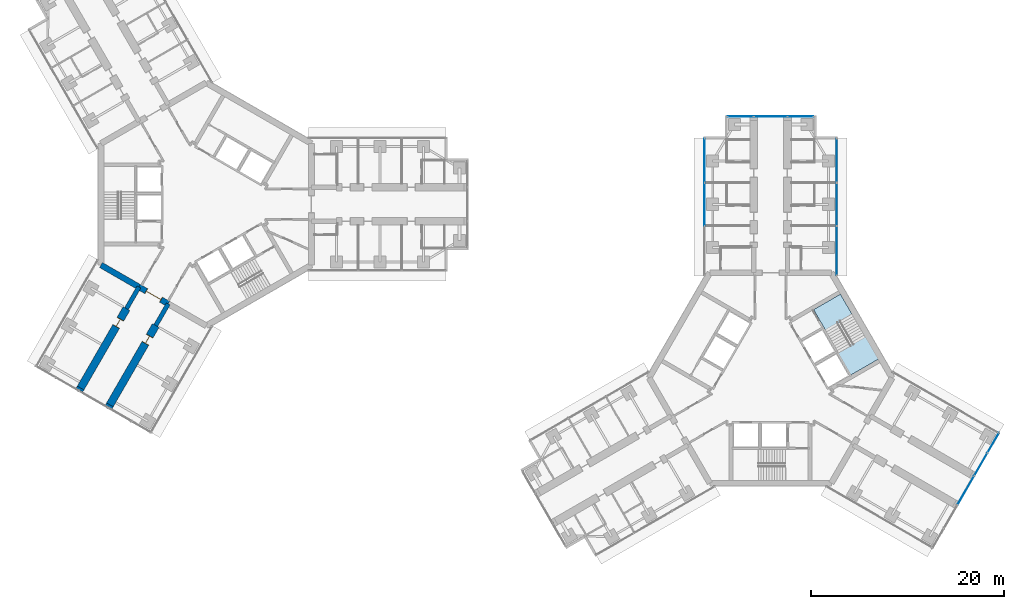
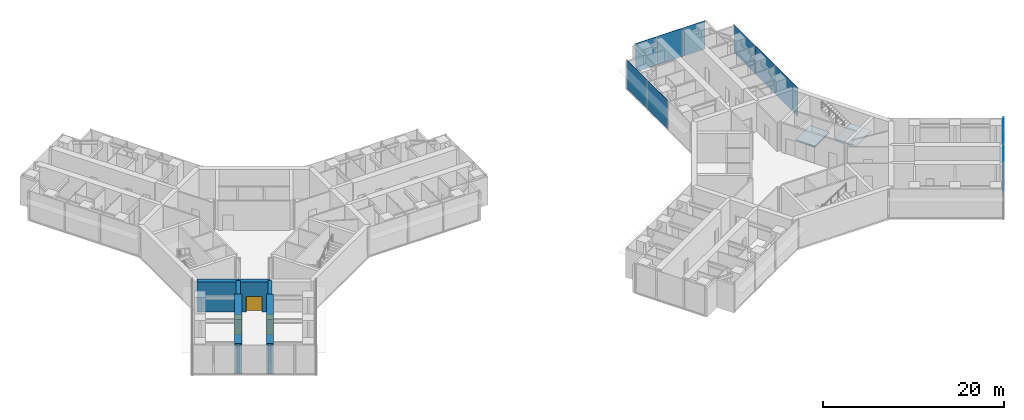
# One storey, part 14 of 23: 11 plates, 8 walls, 3 doors, 2 slabs, 3 openings, 5 elements without a shape of their own.
"""IFC4 building model written with IfcOpenShell, lengths in metres."""

import ifcopenshell
import ifcopenshell.guid

model = None  # the IFC model being written
_history = None  # IfcOwnerHistory: only IFC2X3 demands one
_inside = {}  # id of a spatial element -> (the spatial element, [elements in it])
_under = {}  # id of a project, library or spatial element -> (it, [spatial elements below it])
_declared = {}  # id of a project -> (the project, [libraries it declares])
_typed = {}  # id of a type object -> (the type object, [elements of that type])
_made_of = {}  # id of a material, layer set ... -> (it, [elements and type objects made of it])


def new_model(schema):
    """Start an empty IFC model of exactly this schema.

    Asked for "IFC4X3", IfcOpenShell would pick the latest addendum, in which some entities
    have other attributes; the version numbers below select the first issue.
    IFC2X3 requires an IfcOwnerHistory on every rooted entity: one is made here for all.
    """
    global model, _history
    if schema == "IFC4X3":
        model = ifcopenshell.file(schema_version=(4, 3, 0, 0))
    else:
        model = ifcopenshell.file(schema=schema)
    _inside.clear()
    _under.clear()
    _declared.clear()
    _typed.clear()
    _made_of.clear()
    _history = None
    if model.schema == "IFC2X3":
        org = make("IfcOrganization", Name="unknown")
        user = make(
            "IfcPersonAndOrganization",
            ThePerson=make("IfcPerson", FamilyName="unknown"),
            TheOrganization=org,
        )
        app = make(
            "IfcApplication",
            ApplicationDeveloper=org,
            Version="unknown",
            ApplicationFullName="unknown",
            ApplicationIdentifier="unknown",
        )
        _history = make(
            "IfcOwnerHistory",
            OwningUser=user,
            OwningApplication=app,
            ChangeAction="ADDED",
            CreationDate=0,
        )
    return model


def make(cls, **values):
    """One entity of the class cls with the attributes given. An attribute that is None is left unset."""
    return model.create_entity(
        cls, **{name: value for name, value in values.items() if value is not None}
    )


def rooted(cls, **values):
    """An entity with a GlobalId (a new one), such as an element, a storey or a relation."""
    return make(cls, GlobalId=ifcopenshell.guid.new(), OwnerHistory=_history, **values)


def si_unit(unit_type, name, prefix=None):
    """IfcSIUnit, for example si_unit("LENGTHUNIT", "METRE", prefix="MILLI")."""
    return make("IfcSIUnit", UnitType=unit_type, Prefix=prefix, Name=name)


def assignment(units):
    """IfcUnitAssignment: the units of a project."""
    return None if units is None else make("IfcUnitAssignment", Units=units)


def point(xyz):
    """IfcCartesianPoint."""
    return None if xyz is None else make("IfcCartesianPoint", Coordinates=xyz)


def direction(xyz):
    """IfcDirection."""
    return None if xyz is None else make("IfcDirection", DirectionRatios=xyz)


def frame(location, z_axis=None, x_axis=None):
    """IfcAxis2Placement3D, a coordinate frame: its origin and axes. An axis left out is left unset."""
    return make(
        "IfcAxis2Placement3D",
        Location=point(location),
        Axis=direction(z_axis),
        RefDirection=direction(x_axis),
    )


def frame_2d(location, x_axis=None):
    """IfcAxis2Placement2D, a coordinate frame in the plane: its origin and x axis."""
    return make(
        "IfcAxis2Placement2D", Location=point(location), RefDirection=direction(x_axis)
    )


def origin():
    """The frame at (0, 0, 0) with its axes left unset."""
    return frame((0.0, 0.0, 0.0))


def origin_2d():
    """The frame at (0, 0) in the plane with its x axis left unset."""
    return frame_2d((0.0, 0.0))


def place(relative_to, where):
    """IfcLocalPlacement: puts the frame where relative to a parent placement (None: the world)."""
    return make(
        "IfcLocalPlacement", PlacementRelTo=relative_to, RelativePlacement=where
    )


def context(
    kind, dimensions, precision=None, world=None, true_north=None, identifier=None
):
    """IfcGeometricRepresentationContext, for example the 3D "Model" context."""
    return make(
        "IfcGeometricRepresentationContext",
        ContextIdentifier=identifier,
        ContextType=kind,
        CoordinateSpaceDimension=dimensions,
        Precision=precision,
        WorldCoordinateSystem=world,
        TrueNorth=true_north,
    )


def subcontext(parent, identifier, kind, view, scale=None):
    """IfcGeometricRepresentationSubContext, for example "Body" below "Model"."""
    return make(
        "IfcGeometricRepresentationSubContext",
        ContextIdentifier=identifier,
        ContextType=kind,
        ParentContext=parent,
        TargetScale=scale,
        TargetView=view,
    )


def project(units=None, contexts=None):
    """IfcProject with its units and contexts."""
    return rooted(
        "IfcProject",
        Name="project",
        RepresentationContexts=contexts,
        UnitsInContext=assignment(units),
    )


def spatial(cls, under=None, at=None, **own):
    """A site, building, storey or space (cls), placed at a placement, below another one or the project."""
    s = rooted(cls, ObjectPlacement=at, **own)
    if under is not None:
        _under.setdefault(under.id(), (under, []))[1].append(s)
    return s


def polyline(points):
    """IfcPolyline through the points."""
    return make("IfcPolyline", Points=[point(p) for p in points])


def profile(cls, at=None, kind="AREA", **sizes):
    """A parametric profile (cls). Its sizes go by their IFC names, for example OverallWidth=200.0."""
    return make(cls, ProfileType=kind, Position=at, **sizes)


def rectangle(**sizes):
    """IfcRectangleProfileDef."""
    return profile("IfcRectangleProfileDef", **sizes)


def outline(outer, holes=None, kind="AREA"):
    """IfcArbitraryClosedProfileDef: a profile drawn as a closed curve; with holes, ...WithVoids."""
    if holes is None:
        return make("IfcArbitraryClosedProfileDef", ProfileType=kind, OuterCurve=outer)
    return make(
        "IfcArbitraryProfileDefWithVoids",
        ProfileType=kind,
        OuterCurve=outer,
        InnerCurves=holes,
    )


def extrude(swept, where, along, depth):
    """IfcExtrudedAreaSolid: the profile swept, set in the frame where, extruded along a direction by depth."""
    return make(
        "IfcExtrudedAreaSolid",
        SweptArea=swept,
        Position=where,
        ExtrudedDirection=direction(along),
        Depth=depth,
    )


def shape(context_of_items, identifier, shape_type, items):
    """IfcShapeRepresentation: the items that make up one representation, for example the "Body"."""
    return make(
        "IfcShapeRepresentation",
        ContextOfItems=context_of_items,
        RepresentationIdentifier=identifier,
        RepresentationType=shape_type,
        Items=items,
    )


def material(Name=None, Category=None):
    """IfcMaterial."""
    return make("IfcMaterial", Name=Name, Category=Category)


def layer(
    of_material, thickness, ventilated=None, Name=None, Category=None, Priority=None
):
    """IfcMaterialLayer: one layer of a wall or slab, of a material (None: an air gap)."""
    return make(
        "IfcMaterialLayer",
        Material=of_material,
        LayerThickness=thickness,
        IsVentilated=ventilated,
        Name=Name,
        Category=Category,
        Priority=Priority,
    )


def layer_set(layers, Name=None):
    """IfcMaterialLayerSet."""
    return make("IfcMaterialLayerSet", MaterialLayers=layers, LayerSetName=Name)


def made_of(thing, what):
    """Note that an element or type object is made of a material, layer set ...; save() writes the relation."""
    if what is not None:
        _made_of.setdefault(what.id(), (what, []))[1].append(thing)
    return thing


def type_object(cls, material=None, **own):
    """A type object (cls), such as IfcWallType, which elements share."""
    return made_of(rooted(cls, **own), material)


def element(
    cls,
    number,
    at=None,
    inside=None,
    cuts=None,
    type_object=None,
    material=None,
    context=None,
    identifier="Body",
    shape_type=None,
    held_by="IfcProductDefinitionShape",
    body=None,
    shapes=None,
    **own,
):
    """One element of the class cls, such as IfcWall. Its Tag is "e" and its number.

    at: its placement. inside: the storey or other place that contains it. cuts: it is an
    opening in that element (IfcRelVoidsElement). A single representation is given by context,
    identifier, shape_type and body (its items); several are given by shapes. held_by: the class
    of the entity that holds the representations. save() writes the other relations.
    """
    e = rooted(cls, Tag="e%d" % number, ObjectPlacement=at, **own)
    if body is not None:
        shapes = [shape(context, identifier, shape_type, body)]
    if shapes is not None:
        e.Representation = make(held_by, Representations=shapes)
    if inside is not None:
        _inside.setdefault(inside.id(), (inside, []))[1].append(e)
    if cuts is not None:
        rooted(
            "IfcRelVoidsElement", RelatingBuildingElement=cuts, RelatedOpeningElement=e
        )
    if type_object is not None:
        _typed.setdefault(type_object.id(), (type_object, []))[1].append(e)
    return made_of(e, material)


def fill(opening, filler):
    """IfcRelFillsElement: the door or window that sits in an opening."""
    return rooted(
        "IfcRelFillsElement",
        RelatingOpeningElement=opening,
        RelatedBuildingElement=filler,
    )


def aggregate(whole, parts):
    """IfcRelAggregates: a whole, such as a stair, and the parts it consists of."""
    return rooted("IfcRelAggregates", RelatingObject=whole, RelatedObjects=parts)


def save(model, path):
    """Write the relations noted so far, then the file.

    IfcRelAggregates (storeys below a building ...), IfcRelContainedInSpatialStructure (elements
    in a storey), IfcRelDefinesByType, IfcRelAssociatesMaterial and IfcRelDeclares: one each for
    every whole, place, type object, material and project.
    """
    for whole, parts in _under.values():
        aggregate(whole, parts)
    for where, things in _inside.values():
        rooted(
            "IfcRelContainedInSpatialStructure",
            RelatedElements=things,
            RelatingStructure=where,
        )
    for kind, things in _typed.values():
        rooted("IfcRelDefinesByType", RelatedObjects=things, RelatingType=kind)
    for what, things in _made_of.values():
        rooted("IfcRelAssociatesMaterial", RelatedObjects=things, RelatingMaterial=what)
    for by, libraries in _declared.values():
        rooted("IfcRelDeclares", RelatingContext=by, RelatedDefinitions=libraries)
    model.write(path)


model = new_model("IFC4")

# Units and contexts
model_context = context("Model", 3, precision=1e-05, world=origin(), true_north=direction((0.0, 1.0)))
body_context = subcontext(model_context, "Body", "Model", "MODEL_VIEW")
ifc_project = project(units=[si_unit("LENGTHUNIT", "METRE"), si_unit("AREAUNIT", "SQUARE_METRE"), si_unit("VOLUMEUNIT", "CUBIC_METRE"), si_unit("PLANEANGLEUNIT", "RADIAN"), si_unit("MASSUNIT", "GRAM", prefix="KILO")], contexts=[model_context])

# Site, building, storey
site_placement = place(None, origin())
site = spatial("IfcSite", under=ifc_project, at=site_placement, CompositionType="ELEMENT")
building_placement = place(site_placement, origin())
building = spatial("IfcBuilding", under=site, at=building_placement, Name="Upepo Twin Towers", CompositionType="ELEMENT")
storey_placement = place(building_placement, frame((0.0, 0.0, 149.5)))
storey = spatial("IfcBuildingStorey", under=building, at=storey_placement, Name="L36", CompositionType="ELEMENT", Elevation=149.5)

# Curtain wall, plates
ifc_material_1 = material(Name="Aluminium and fritted glass", Category="aluminium")
curtain_wall_type = type_object("IfcCurtainWallType", Name="Tower curtain wall TW2, fritted glass", PredefinedType="NOTDEFINED", material=ifc_material_1)
curtain_wall_1_placement = place(storey_placement, origin())
curtain_wall_1 = element("IfcCurtainWall", 1, at=curtain_wall_1_placement, inside=storey, type_object=curtain_wall_type, Name="T2 L36 wing A flank L curtain wall", PredefinedType="NOTDEFINED")
ifc_material_2 = material(Name="Ceramic-fritted laminated glass", Category="glass")
ifc_layer_1 = layer(ifc_material_2, 0.031982421875)
ifc_layer_set_1 = layer_set([ifc_layer_1], Name="Fritted glass panel, 45 per cent dot frit, 32 mm double glazed")
plate_type_1 = type_object("IfcPlateType", Name="Fritted glass panel, 45 per cent dot frit, 32 mm double glazed", PredefinedType="CURTAIN_PANEL", material=ifc_layer_set_1)
plate_1_placement = place(storey_placement, frame((51.64990234375, 0.0, 0.14990234375), z_axis=(0.0, 0.0, 1.0), x_axis=(0.0, 1.0, 0.0)))
plate_1 = element("IfcPlate", 2, at=plate_1_placement, type_object=plate_type_1, Name="T2 L36 wing A flank L curtain wall panel 2", PredefinedType="CURTAIN_PANEL", context=body_context, shape_type="SweptSolid", body=[
    extrude(rectangle(XDim=4.43505859375, YDim=0.031982421875, at=origin_2d()), origin(), (0.0, 0.0, 1.0), 3.85009765625),
])
plate_2_placement = place(storey_placement, frame((51.64990234375, 4.53369140625, 0.14990234375), z_axis=(0.0, 0.0, 1.0), x_axis=(0.0, 1.0, 0.0)))
plate_2 = element("IfcPlate", 3, at=plate_2_placement, type_object=plate_type_1, Name="T2 L36 wing A flank L curtain wall panel 3", PredefinedType="CURTAIN_PANEL", context=body_context, shape_type="SweptSolid", body=[
    extrude(rectangle(XDim=4.50244140625, YDim=0.031982421875, at=origin_2d()), origin(), (0.0, 0.0, 1.0), 3.85009765625),
])
aggregate(curtain_wall_1, [plate_1, plate_2])

curtain_wall_2_placement = place(storey_placement, origin())
curtain_wall_2 = element("IfcCurtainWall", 4, at=curtain_wall_2_placement, inside=storey, type_object=curtain_wall_type, Name="T2 L36 wing A flank R curtain wall", PredefinedType="NOTDEFINED")
plate_3_placement = place(storey_placement, frame((65.35009765625, 4.53369140625, 0.14990234375), z_axis=(0.0, 0.0, 1.0), x_axis=(0.0, -1.0, 0.0)))
plate_3 = element("IfcPlate", 5, at=plate_3_placement, type_object=plate_type_1, Name="T2 L36 wing A flank R curtain wall panel 1", PredefinedType="CURTAIN_PANEL", context=body_context, shape_type="SweptSolid", body=[
    extrude(rectangle(XDim=4.50244140625, YDim=0.031982421875, at=origin_2d()), origin(), (0.0, 0.0, 1.0), 3.85009765625),
])
plate_4_placement = place(storey_placement, frame((65.35009765625, 0.0, 0.14990234375), z_axis=(0.0, 0.0, 1.0), x_axis=(0.0, -1.0, 0.0)))
plate_4 = element("IfcPlate", 6, at=plate_4_placement, type_object=plate_type_1, Name="T2 L36 wing A flank R curtain wall panel 2", PredefinedType="CURTAIN_PANEL", context=body_context, shape_type="SweptSolid", body=[
    extrude(rectangle(XDim=4.43505859375, YDim=0.031982421875, at=origin_2d()), origin(), (0.0, 0.0, 1.0), 3.85009765625),
])
plate_5_placement = place(storey_placement, frame((65.35009765625, -4.815185546875, 0.14990234375), z_axis=(0.0, 0.0, 1.0), x_axis=(0.0, -1.0, 0.0)))
plate_5 = element("IfcPlate", 7, at=plate_5_placement, type_object=plate_type_1, Name="T2 L36 wing A flank R curtain wall panel 3", PredefinedType="CURTAIN_PANEL", context=body_context, shape_type="SweptSolid", body=[
    extrude(rectangle(XDim=5.0654296875, YDim=0.031982421875, at=origin_2d()), origin(), (0.0, 0.0, 1.0), 3.85009765625),
])
aggregate(curtain_wall_2, [plate_3, plate_4, plate_5])

# Curtain wall, plate
curtain_wall_3_placement = place(storey_placement, origin())
curtain_wall_3 = element("IfcCurtainWall", 8, at=curtain_wall_3_placement, inside=storey, type_object=curtain_wall_type, Name="T2 L36 wing A nose curtain wall", PredefinedType="NOTDEFINED")
plate_6_placement = place(storey_placement, frame((58.5, 9.10009765625, 0.14990234375), z_axis=(0.0, 0.0, 1.0), x_axis=(-1.0, 0.0, 0.0)))
plate_6 = element("IfcPlate", 9, at=plate_6_placement, type_object=plate_type_1, Name="T2 L36 wing A nose curtain wall panel 2", PredefinedType="CURTAIN_PANEL", context=body_context, shape_type="SweptSolid", body=[
    extrude(rectangle(XDim=3.43505859375, YDim=0.031982421875, at=origin_2d()), origin(), (0.0, 0.0, 1.0), 3.85009765625),
])

# Curtain wall, plates
curtain_wall_4_placement = place(storey_placement, origin())
curtain_wall_4 = element("IfcCurtainWall", 10, at=curtain_wall_4_placement, inside=storey, type_object=curtain_wall_type, Name="T2 L36 wing C nose curtain wall", PredefinedType="NOTDEFINED")
plate_7_placement = place(storey_placement, frame((78.7216796875, -29.675048828125, 0.14990234375), z_axis=(0.0, 0.0, 1.0), x_axis=(0.499999972355, 0.866025419745, 0.0)))
plate_7 = element("IfcPlate", 11, at=plate_7_placement, type_object=plate_type_1, Name="T2 L36 wing C nose curtain wall panel 3", PredefinedType="CURTAIN_PANEL", context=body_context, shape_type="SweptSolid", body=[
    extrude(rectangle(XDim=3.43505859375, YDim=0.031982421875, at=origin_2d()), origin(), (0.0, 0.0, 1.0), 3.85009765625),
])
plate_8_placement = place(storey_placement, frame((80.2841796875, -26.96875, 0.14990234375), z_axis=(0.0, 0.0, 1.0), x_axis=(0.499999972355, 0.866025419745, 0.0)))
plate_8 = element("IfcPlate", 12, at=plate_8_placement, type_object=plate_type_1, Name="T2 L36 wing C nose curtain wall panel 4", PredefinedType="CURTAIN_PANEL", context=body_context, shape_type="SweptSolid", body=[
    extrude(rectangle(XDim=2.68505859375, YDim=0.031982421875, at=origin_2d()), origin(), (0.0, 0.0, 1.0), 3.85009765625),
])

# Plate
ifc_material_3 = material(Name="Clear laminated glass in opening sash", Category="glass")
ifc_layer_2 = layer(ifc_material_3, 0.031982421875)
ifc_layer_set_2 = layer_set([ifc_layer_2], Name="Operable glass panel, 32 mm double glazed")
plate_type_2 = type_object("IfcPlateType", Name="Operable glass panel, 32 mm double glazed", PredefinedType="CURTAIN_PANEL", material=ifc_layer_set_2)
plate_9_placement = place(storey_placement, frame((61.608642578125, 9.10009765625, 0.14990234375), z_axis=(0.0, 0.0, 1.0), x_axis=(-1.0, 0.0, 0.0)))
plate_9 = element("IfcPlate", 13, at=plate_9_placement, type_object=plate_type_2, Name="T2 L36 wing A nose curtain wall panel 1", PredefinedType="CURTAIN_PANEL", context=body_context, shape_type="SweptSolid", body=[
    extrude(rectangle(XDim=2.652587890625, YDim=0.031982421875, at=origin_2d()), origin(), (0.0, 0.0, 1.0), 3.85009765625),
])

plate_10_placement = place(storey_placement, frame((55.391357421875, 9.10009765625, 0.14990234375), z_axis=(0.0, 0.0, 1.0), x_axis=(-1.0, 0.0, 0.0)))
plate_10 = element("IfcPlate", 14, at=plate_10_placement, type_object=plate_type_2, Name="T2 L36 wing A nose curtain wall panel 3", PredefinedType="CURTAIN_PANEL", context=body_context, shape_type="SweptSolid", body=[
    extrude(rectangle(XDim=2.652587890625, YDim=0.031982421875, at=origin_2d()), origin(), (0.0, 0.0, 1.0), 3.85009765625),
])

aggregate(curtain_wall_3, [plate_9, plate_6, plate_10])

plate_11_placement = place(storey_placement, frame((81.576171875, -24.73095703125, 0.14990234375), z_axis=(0.0, 0.0, 1.0), x_axis=(0.499999972355, 0.866025419745, 0.0)))
plate_11 = element("IfcPlate", 15, at=plate_11_placement, type_object=plate_type_2, Name="T2 L36 wing C nose curtain wall panel 5", PredefinedType="CURTAIN_PANEL", context=body_context, shape_type="SweptSolid", body=[
    extrude(rectangle(XDim=2.3525390625, YDim=0.031982421875, at=origin_2d()), origin(), (0.0, 0.0, 1.0), 3.85009765625),
])

aggregate(curtain_wall_4, [plate_7, plate_8, plate_11])

# Stair, slabs
ifc_material_4 = material(Name="Concrete C40/50", Category="concrete")
stair_type = type_object("IfcStairType", Name="Core stair, two flights", PredefinedType="HALF_TURN_STAIR", material=ifc_material_4)
stair_placement = place(storey_placement, origin())
stair = element("IfcStair", 16, at=stair_placement, inside=storey, type_object=stair_type, Name="T2 stair S2 L36", PredefinedType="HALF_TURN_STAIR")
ifc_material_5 = material(Name="Concrete C40/50", Category="concrete")
ifc_layer_3 = layer(ifc_material_5, 0.199951171875)
ifc_layer_set_3 = layer_set([ifc_layer_3], Name="Concrete C40/50")
slab_type = type_object("IfcSlabType", Name="Stair landing 200 RC", PredefinedType="LANDING", material=ifc_layer_set_3)
slab_1_placement = place(storey_placement, frame((0.0, 0.0, -0.199951171875)))
slab_1 = element("IfcSlab", 17, at=slab_1_placement, type_object=slab_type, Name="Stair S2 landing 1", PredefinedType="LANDING", context=body_context, shape_type="SweptSolid", body=[
    extrude(outline(polyline([(64.198486328125, -13.0703125), (66.97705078125, -11.466064453125), (65.737060546875, -9.318359375), (62.95849609375, -10.922607421875), (64.198486328125, -13.0703125)])), origin(), (0.0, 0.0, 1.0), 0.199951171875),
])
slab_2_placement = place(storey_placement, frame((0.0, 0.0, 1.800048828125)))
slab_2 = element("IfcSlab", 18, at=slab_2_placement, type_object=slab_type, Name="Stair S2 landing 2", PredefinedType="LANDING", context=body_context, shape_type="SweptSolid", body=[
    extrude(outline(polyline([(66.77197265625, -17.7275390625), (69.7236328125, -16.0234375), (68.36376953125, -13.667724609375), (65.411865234375, -15.371826171875), (66.77197265625, -17.7275390625)])), origin(), (0.0, 0.0, 1.0), 0.199951171875),
])
aggregate(stair, [slab_1, slab_2])

# Walls
ifc_material_6 = material(Name="Dense concrete blockwork", Category="masonry")
ifc_layer_4 = layer(ifc_material_6, 0.800048828125)
ifc_layer_set_4 = layer_set([ifc_layer_4], Name="Buttress closer 800, blockwork with fire-stopping to the curtain wall")
wall_type_1 = type_object("IfcWallType", Name="Buttress closer 800, blockwork with fire-stopping to the curtain wall", PredefinedType="PARTITIONING", material=ifc_layer_set_4)
for number, where, z_axis, x_axis, name in (
    (19, (-9.984375, -20.793701171875, 0.0), (0.0, 0.0, 1.0), (-0.500342721131, -0.865827443207, 0.0), "T1 L36 wing C buttress closer L"),
    (20, (-13.015625, -19.043701171875, 0.0), (0.0, 0.0, 1.0), (-0.500342721131, -0.865827443207, 0.0), "T1 L36 wing C buttress closer R"),
):
    element("IfcWall", number, at=place(storey_placement, frame(where, z_axis=z_axis, x_axis=x_axis)), inside=storey, type_object=wall_type_1, Name=name, PredefinedType="PARTITIONING", context=body_context, shape_type="SweptSolid", body=[
        extrude(rectangle(XDim=0.249755859375, YDim=0.800048828125, at=frame_2d((0.125, 0.0))), origin(), (0.0, 0.0, 1.0), 3.800048828125),
    ])
ifc_material_7 = material(Name="Concrete C60/75", Category="concrete")
ifc_layer_5 = layer(ifc_material_7, 0.449951171875)
ifc_layer_set_5 = layer_set([ifc_layer_5], Name="Concrete C60/75")
wall_type_2 = type_object("IfcWallType", Name="Buttress wall 450 RC", PredefinedType="SHEAR", material=ifc_layer_set_5)
for number, where, z_axis, x_axis, name in (
    (21, (-3.938720703125, -10.32177734375, 0.0), (0.0, 0.0, 1.0), (-0.499918158782, -0.866072649678, 0.0), "T1 wing C buttress wall L"),
    (22, (-6.9697265625, -8.57177734375, 0.0), (0.0, 0.0, 1.0), (-0.499988811324, -0.866031863473, 0.0), "T1 wing C buttress wall R"),
):
    element("IfcWall", number, at=place(storey_placement, frame(where, z_axis=z_axis, x_axis=x_axis)), inside=storey, type_object=wall_type_2, Name=name, PredefinedType="SHEAR", context=body_context, shape_type="SweptSolid", body=[
        extrude(rectangle(XDim=2.591796875, YDim=0.449951171875, at=frame_2d((1.2958984375, 0.0))), origin(), (0.0, 0.0, 1.0), 4.0),
    ])

# Wall, opening, door
ifc_material_8 = material(Name="Concrete C60/75", Category="concrete")
ifc_layer_6 = layer(ifc_material_8, 0.800048828125)
ifc_layer_set_6 = layer_set([ifc_layer_6], Name="Concrete C60/75")
wall_type_3 = type_object("IfcWallType", Name="Buttress wall 800 RC", PredefinedType="SHEAR", material=ifc_layer_set_6)
wall_1_placement = place(storey_placement, frame((-5.234375, -12.56640625, 0.0), z_axis=(0.0, 0.0, 1.0), x_axis=(-0.499997557548, -0.86602681393, 0.0)))
wall_1 = element("IfcWall", 23, at=wall_1_placement, inside=storey, type_object=wall_type_3, Name="T1 wing C buttress wall L part 2", PredefinedType="SHEAR", context=body_context, shape_type="SweptSolid", body=[
    extrude(rectangle(XDim=9.5, YDim=0.800048828125, at=frame_2d((4.75, 0.0))), origin(), (0.0, 0.0, 1.0), 4.0),
])
opening_1_placement = place(wall_1_placement, frame((1.25, 0.0, 0.0)))
opening_1 = element("IfcOpeningElement", 24, at=opening_1_placement, cuts=wall_1, Name="Opening D14", PredefinedType="OPENING", context=body_context, shape_type="SweptSolid", body=[
    extrude(rectangle(XDim=0.89990234375, YDim=2.10009765625, at=frame_2d((0.449951171875, 1.050048828125))), frame((0.0, 0.409912109375, 0.0), z_axis=(0.0, -1.0, 0.0), x_axis=(1.0, 0.0, 0.0)), (0.0, 0.0, 1.0), 0.820068359375),
])
ifc_material_9 = material(Name="Timber doorset", Category="wood")
door_type_1 = type_object("IfcDoorType", Name="Office door 900 FD30", OperationType="SINGLE_SWING_LEFT", PredefinedType="DOOR", material=ifc_material_9)
door_1_placement = place(opening_1_placement, origin())
door_1 = element("IfcDoor", 25, at=door_1_placement, inside=storey, type_object=door_type_1, Name="T1 L36 postgraduate office door", OperationType="SINGLE_SWING_LEFT", OverallHeight=2.10009765625, OverallWidth=0.89990234375, PredefinedType="DOOR", context=body_context, shape_type="SweptSolid", body=[
    extrude(rectangle(XDim=0.81990234375, YDim=2.06009765625, at=frame_2d((0.449951171875, 1.030029296875))), frame((0.0, 0.02490234375, 0.0), z_axis=(0.0, -1.0, 0.0), x_axis=(1.0, 0.0, 0.0)), (0.0, 0.0, 1.0), 0.050048828125),
    extrude(rectangle(XDim=0.04, YDim=2.10009765625, at=frame_2d((0.02001953125, 1.050048828125))), frame((0.0, 0.39990234375, 0.0), z_axis=(0.0, -1.0, 0.0), x_axis=(1.0, 0.0, 0.0)), (0.0, 0.0, 1.0), 0.799560546875),
    extrude(rectangle(XDim=0.04, YDim=2.10009765625, at=frame_2d((0.8798828125, 1.050048828125))), frame((0.0, 0.39990234375, 0.0), z_axis=(0.0, -1.0, 0.0), x_axis=(1.0, 0.0, 0.0)), (0.0, 0.0, 1.0), 0.799560546875),
    extrude(rectangle(XDim=0.81990234375, YDim=0.04, at=frame_2d((0.449951171875, 2.080078125))), frame((0.0, 0.39990234375, 0.0), z_axis=(0.0, -1.0, 0.0), x_axis=(1.0, 0.0, 0.0)), (0.0, 0.0, 1.0), 0.799560546875),
])
fill(opening_1, door_1)

wall_2_placement = place(storey_placement, frame((-8.265625, -10.81640625, 0.0), z_axis=(0.0, 0.0, 1.0), x_axis=(-0.499997557548, -0.86602681393, 0.0)))
wall_2 = element("IfcWall", 26, at=wall_2_placement, inside=storey, type_object=wall_type_3, Name="T1 wing C buttress wall R part 2", PredefinedType="SHEAR", context=body_context, shape_type="SweptSolid", body=[
    extrude(rectangle(XDim=9.5, YDim=0.800048828125, at=frame_2d((4.75, 0.0))), origin(), (0.0, 0.0, 1.0), 4.0),
])
opening_2_placement = place(wall_2_placement, frame((1.25, 0.0, 0.0)))
opening_2 = element("IfcOpeningElement", 27, at=opening_2_placement, cuts=wall_2, Name="Opening D14", PredefinedType="OPENING", context=body_context, shape_type="SweptSolid", body=[
    extrude(rectangle(XDim=0.89990234375, YDim=2.10009765625, at=frame_2d((0.449951171875, 1.050048828125))), frame((0.0, 0.409912109375, 0.0), z_axis=(0.0, -1.0, 0.0), x_axis=(1.0, 0.0, 0.0)), (0.0, 0.0, 1.0), 0.820068359375),
])
door_2_placement = place(opening_2_placement, origin())
door_2 = element("IfcDoor", 28, at=door_2_placement, inside=storey, type_object=door_type_1, Name="T1 L36 postgraduate office door", OperationType="SINGLE_SWING_LEFT", OverallHeight=2.10009765625, OverallWidth=0.89990234375, PredefinedType="DOOR", context=body_context, shape_type="SweptSolid", body=[
    extrude(rectangle(XDim=0.81990234375, YDim=2.06009765625, at=frame_2d((0.449951171875, 1.030029296875))), frame((0.0, 0.02490234375, 0.0), z_axis=(0.0, -1.0, 0.0), x_axis=(1.0, 0.0, 0.0)), (0.0, 0.0, 1.0), 0.050048828125),
    extrude(rectangle(XDim=0.04, YDim=2.10009765625, at=frame_2d((0.02001953125, 1.050048828125))), frame((0.0, 0.39990234375, 0.0), z_axis=(0.0, -1.0, 0.0), x_axis=(1.0, 0.0, 0.0)), (0.0, 0.0, 1.0), 0.799560546875),
    extrude(rectangle(XDim=0.04, YDim=2.10009765625, at=frame_2d((0.8798828125, 1.050048828125))), frame((0.0, 0.39990234375, 0.0), z_axis=(0.0, -1.0, 0.0), x_axis=(1.0, 0.0, 0.0)), (0.0, 0.0, 1.0), 0.799560546875),
    extrude(rectangle(XDim=0.81990234375, YDim=0.04, at=frame_2d((0.449951171875, 2.080078125))), frame((0.0, 0.39990234375, 0.0), z_axis=(0.0, -1.0, 0.0), x_axis=(1.0, 0.0, 0.0)), (0.0, 0.0, 1.0), 0.799560546875),
])
fill(opening_2, door_2)

# Wall
ifc_material_10 = material(Name="Concrete C60/75", Category="concrete")
ifc_layer_7 = layer(ifc_material_10, 0.60009765625)
ifc_layer_set_7 = layer_set([ifc_layer_7], Name="Concrete C60/75")
wall_type_4 = type_object("IfcWallType", Name="Core wall 600 RC", PredefinedType="SHEAR", material=ifc_layer_set_7)
wall_3_placement = place(storey_placement, frame((-10.908447265625, -6.2978515625, 0.0), z_axis=(0.0, 0.0, 1.0), x_axis=(0.866034513004, -0.499984222037, 0.0)))
element("IfcWall", 29, at=wall_3_placement, inside=storey, type_object=wall_type_4, Name="T1 core wall 240 R", PredefinedType="SHEAR", context=body_context, shape_type="SweptSolid", body=[
    extrude(rectangle(XDim=4.548095703125, YDim=0.60009765625, at=frame_2d((2.27392578125, 0.0))), origin(), (0.0, 0.0, 1.0), 4.0),
])

# Wall, opening, door
wall_4_placement = place(storey_placement, frame((-6.9697265625, -8.57177734375, 0.0), z_axis=(0.0, 0.0, 1.0), x_axis=(0.866019471182, -0.500010275428, 0.0)))
wall_4 = element("IfcWall", 30, at=wall_4_placement, inside=storey, type_object=wall_type_4, Name="T1 core wall 240", PredefinedType="SHEAR", context=body_context, shape_type="SweptSolid", body=[
    extrude(rectangle(XDim=3.5, YDim=0.60009765625, at=frame_2d((1.75, 0.0))), origin(), (0.0, 0.0, 1.0), 4.0),
])
opening_3_placement = place(wall_4_placement, frame((0.85009765625, 0.0, 0.0)))
opening_3 = element("IfcOpeningElement", 31, at=opening_3_placement, cuts=wall_4, Name="Opening D2", PredefinedType="OPENING", context=body_context, shape_type="SweptSolid", body=[
    extrude(rectangle(XDim=1.800048828125, YDim=2.10009765625, at=frame_2d((0.89990234375, 1.050048828125))), frame((0.0, 0.31005859375, 0.0), z_axis=(0.0, -1.0, 0.0), x_axis=(1.0, 0.0, 0.0)), (0.0, 0.0, 1.0), 0.6201171875),
])
ifc_material_11 = material(Name="Timber doorset", Category="wood")
door_type_2 = type_object("IfcDoorType", Name="Corridor double door 1800 FD60", OperationType="DOUBLE_DOOR_DOUBLE_SWING", PredefinedType="DOOR", material=ifc_material_11)
door_3_placement = place(opening_3_placement, origin())
door_3 = element("IfcDoor", 32, at=door_3_placement, inside=storey, type_object=door_type_2, Name="T1 L36 wing C corridor door", OperationType="DOUBLE_DOOR_DOUBLE_SWING", OverallHeight=2.10009765625, OverallWidth=1.800048828125, PredefinedType="DOOR", context=body_context, shape_type="SweptSolid", body=[
    extrude(rectangle(XDim=1.720048828125, YDim=2.06009765625, at=frame_2d((0.89990234375, 1.030029296875))), frame((0.0, 0.02490234375, 0.0), z_axis=(0.0, -1.0, 0.0), x_axis=(1.0, 0.0, 0.0)), (0.0, 0.0, 1.0), 0.050048828125),
    extrude(rectangle(XDim=0.04, YDim=2.10009765625, at=frame_2d((0.02001953125, 1.050048828125))), frame((0.0, 0.2998046875, 0.0), z_axis=(0.0, -1.0, 0.0), x_axis=(1.0, 0.0, 0.0)), (0.0, 0.0, 1.0), 0.599609375),
    extrude(rectangle(XDim=0.04, YDim=2.10009765625, at=frame_2d((1.780029296875, 1.050048828125))), frame((0.0, 0.2998046875, 0.0), z_axis=(0.0, -1.0, 0.0), x_axis=(1.0, 0.0, 0.0)), (0.0, 0.0, 1.0), 0.599609375),
    extrude(rectangle(XDim=1.720048828125, YDim=0.04, at=frame_2d((0.89990234375, 2.080078125))), frame((0.0, 0.2998046875, 0.0), z_axis=(0.0, -1.0, 0.0), x_axis=(1.0, 0.0, 0.0)), (0.0, 0.0, 1.0), 0.599609375),
])
fill(opening_3, door_3)

save(model, "model.ifc")
